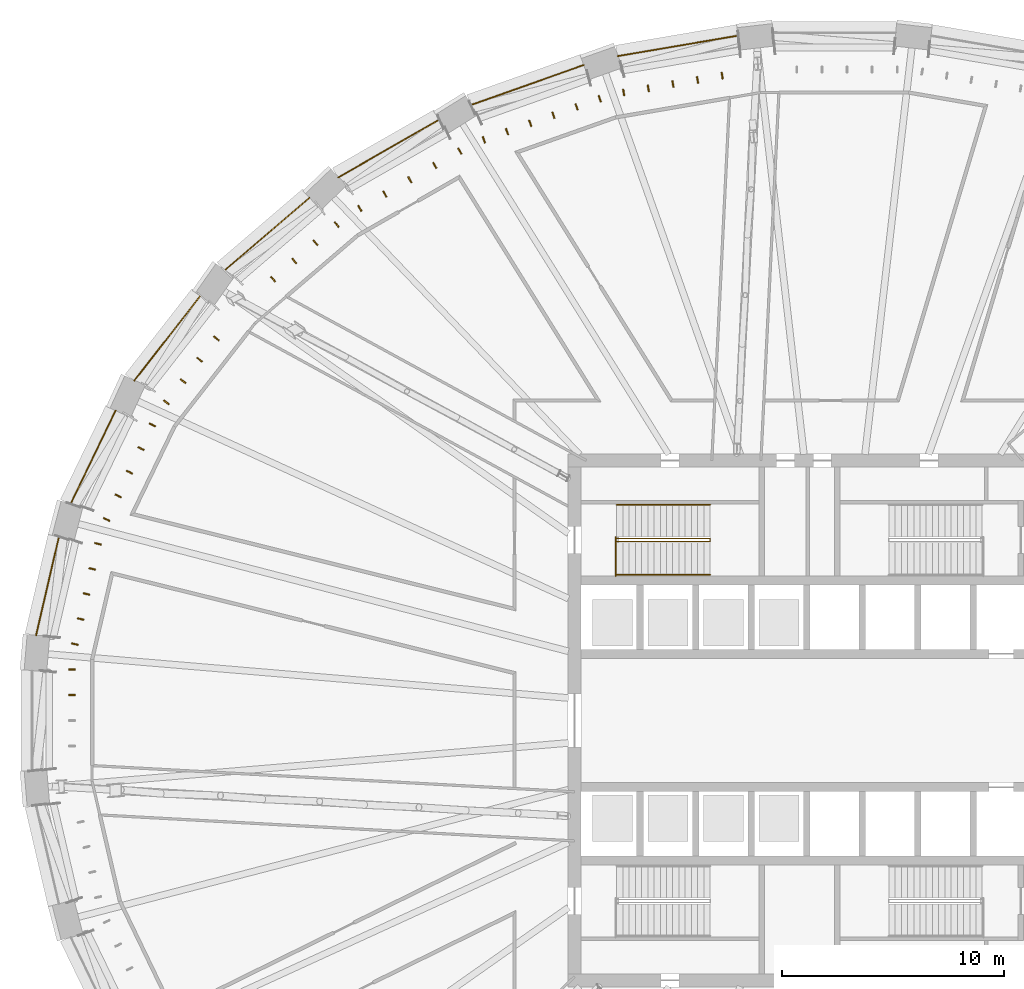
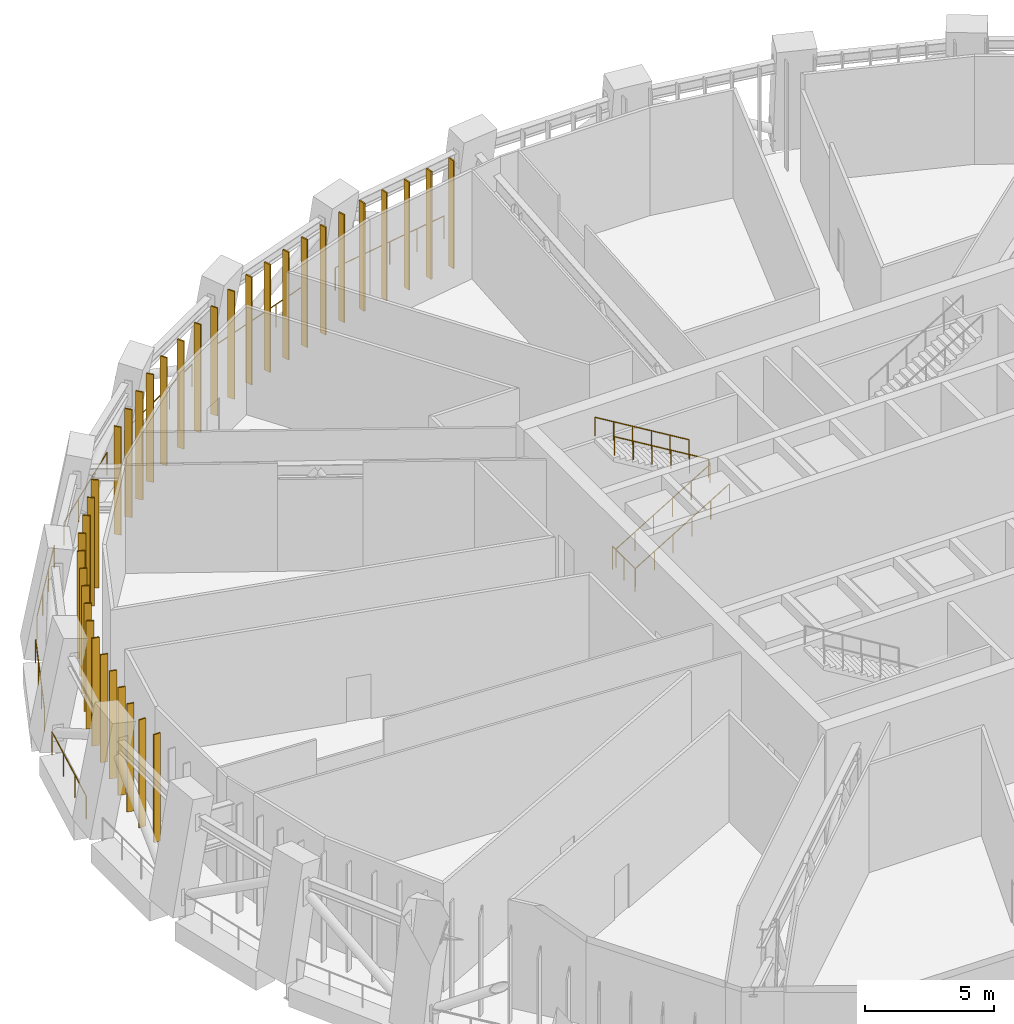
# One storey, part 19 of 22: 36 shading devices, 11 railings.
"""IFC4 building model written with IfcOpenShell, lengths in metres."""

from ifc_helpers import new_model, si_unit, direction, frame, origin, origin_2d, place, context, subcontext, project, spatial, rectangle, circle, extrude, material, material_profile, profile_set, type_object, element, save


model = new_model("IFC4")

# Units and contexts
model_context = context("Model", 3, precision=1e-05, world=origin(), true_north=direction((0.0, 1.0)))
body_context = subcontext(model_context, "Body", "Model", "MODEL_VIEW")
ifc_project = project(units=[si_unit("LENGTHUNIT", "METRE"), si_unit("AREAUNIT", "SQUARE_METRE"), si_unit("VOLUMEUNIT", "CUBIC_METRE"), si_unit("PLANEANGLEUNIT", "RADIAN"), si_unit("MASSUNIT", "GRAM", prefix="KILO")], contexts=[model_context])

# Site, building, storey
site_placement = place(None, origin())
site = spatial("IfcSite", under=ifc_project, at=site_placement, CompositionType="ELEMENT")
building_placement = place(site_placement, origin())
building = spatial("IfcBuilding", under=site, at=building_placement, Name="Halqa Exchange Tower", CompositionType="ELEMENT")
storey_placement = place(building_placement, frame((0.0, 0.0, 99.10009765625)))
storey = spatial("IfcBuildingStorey", under=building, at=storey_placement, Name="L22", CompositionType="ELEMENT", Elevation=99.10009765625)

# Shading devices
ifc_material_1 = material(Name="Anodised aluminium", Category="aluminium")
ifc_material_profile = material_profile(ifc_material_1, rectangle(XDim=0.300048828125, YDim=0.06005859375, at=origin_2d()), Name="AL FIN 300x60")
ifc_profile_set = profile_set([ifc_material_profile], Name="Anodised aluminium")
shading_device_type = type_object("IfcShadingDeviceType", Name="Aluminium louvre FIN 300 x 60", PredefinedType="USERDEFINED", material=ifc_profile_set)
for number, where, z_axis, x_axis, name in (
    (1, (-5.0537109375, 29.018798828125, 0.0), (0.0, 0.0, 1.0), (0.168067871785, -0.985775425984, 0.0), "Louvre FIN 9.2"),
    (2, (-6.162109375, 28.830078125, 0.0), (0.0, 0.0, 1.0), (0.168067871785, -0.985775425984, 0.0), "Louvre FIN 9.3"),
    (3, (-7.2705078125, 28.64111328125, 0.0), (0.0, 0.0, 1.0), (0.168067871785, -0.985775425984, 0.0), "Louvre FIN 9.4"),
    (4, (-8.37890625, 28.451904296875, 0.0), (0.0, 0.0, 1.0), (0.168067871785, -0.985775425984, 0.0), "Louvre FIN 9.5"),
    (5, (-9.4873046875, 28.26318359375, 0.0), (0.0, 0.0, 1.0), (0.168067871785, -0.985775425984, 0.0), "Louvre FIN 9.6"),
    (6, (-10.56298828125, 27.9833984375, 0.0), (0.0, 0.0, 1.0), (0.334578355387, -0.94236793457, 0.0), "Louvre FIN 10.1"),
    (7, (-11.606201171875, 27.613037109375, 0.0), (0.0, 0.0, 1.0), (0.334578355387, -0.94236793457, 0.0), "Louvre FIN 10.2"),
    (8, (-12.649169921875, 27.24267578125, 0.0), (0.0, 0.0, 1.0), (0.334578355387, -0.94236793457, 0.0), "Louvre FIN 10.3"),
    (9, (-13.6923828125, 26.872314453125, 0.0), (0.0, 0.0, 1.0), (0.334578355387, -0.94236793457, 0.0), "Louvre FIN 10.4"),
    (10, (-14.7353515625, 26.501953125, 0.0), (0.0, 0.0, 1.0), (0.334578355387, -0.94236793457, 0.0), "Louvre FIN 10.5"),
    (11, (-15.778564453125, 26.131591796875, 0.0), (0.0, 0.0, 1.0), (0.334578355387, -0.94236793457, 0.0), "Louvre FIN 10.6"),
    (12, (-16.862548828125, 25.62451171875, 0.0), (0.0, 0.0, 1.0), (0.496984562745, -0.867759381622, 0.0), "Louvre FIN 11.1"),
    (13, (-17.9873046875, 24.980224609375, 0.0), (0.0, 0.0, 1.0), (0.496984562745, -0.867759381622, 0.0), "Louvre FIN 11.2"),
    (14, (-19.112060546875, 24.3359375, 0.0), (0.0, 0.0, 1.0), (0.496984562745, -0.867759381622, 0.0), "Louvre FIN 11.3"),
    (15, (-20.237060546875, 23.69189453125, 0.0), (0.0, 0.0, 1.0), (0.496984562745, -0.867759381622, 0.0), "Louvre FIN 11.4"),
    (16, (-21.36181640625, 23.047607421875, 0.0), (0.0, 0.0, 1.0), (0.496984562745, -0.867759381622, 0.0), "Louvre FIN 11.5"),
    (17, (-22.401611328125, 22.31640625, 0.0), (0.0, 0.0, 1.0), (0.65078481863, -0.759262220739, 0.0), "Louvre FIN 12.1"),
    (18, (-23.356201171875, 21.498046875, 0.0), (0.0, 0.0, 1.0), (0.65078481863, -0.759262220739, 0.0), "Louvre FIN 12.2"),
    (19, (-24.310791015625, 20.6796875, 0.0), (0.0, 0.0, 1.0), (0.65078481863, -0.759262220739, 0.0), "Louvre FIN 12.3"),
    (20, (-25.265625, 19.861572265625, 0.0), (0.0, 0.0, 1.0), (0.65078481863, -0.759262220739, 0.0), "Louvre FIN 12.4"),
    (21, (-27.820068359375, 17.194091796875, 0.0), (0.0, 0.0, 1.0), (0.788675428901, -0.614809781841, 0.0), "Louvre FIN 13.2"),
    (22, (-28.568603515625, 16.234130859375, 0.0), (0.0, 0.0, 1.0), (0.788675428901, -0.614809781841, 0.0), "Louvre FIN 13.3"),
    (23, (-29.31689453125, 15.274169921875, 0.0), (0.0, 0.0, 1.0), (0.788675428901, -0.614809781841, 0.0), "Louvre FIN 13.4"),
    (24, (-30.065185546875, 14.314208984375, 0.0), (0.0, 0.0, 1.0), (0.788675428901, -0.614809781841, 0.0), "Louvre FIN 13.5"),
    (25, (-30.696533203125, 13.302001953125, 0.0), (0.0, 0.0, 1.0), (0.900384088715, -0.435095958139, 0.0), "Louvre FIN 14.1"),
    (26, (-31.210693359375, 12.23779296875, 0.0), (0.0, 0.0, 1.0), (0.900384088715, -0.435095958139, 0.0), "Louvre FIN 14.2"),
    (27, (-31.72509765625, 11.173583984375, 0.0), (0.0, 0.0, 1.0), (0.900384088715, -0.435095958139, 0.0), "Louvre FIN 14.3"),
    (28, (-32.2392578125, 10.109130859375, 0.0), (0.0, 0.0, 1.0), (0.900384088715, -0.435095958139, 0.0), "Louvre FIN 14.4"),
    (29, (-32.753662109375, 9.044921875, 0.0), (0.0, 0.0, 1.0), (0.900384088715, -0.435095958139, 0.0), "Louvre FIN 14.5"),
    (30, (-33.1416015625, 7.948974609375, 0.0), (0.0, 0.0, 1.0), (0.974111871643, -0.226066498012, 0.0), "Louvre FIN 15.1"),
    (31, (-33.4033203125, 6.82080078125, 0.0), (0.0, 0.0, 1.0), (0.974111871643, -0.226066498012, 0.0), "Louvre FIN 15.2"),
    (32, (-33.665283203125, 5.693115234375, 0.0), (0.0, 0.0, 1.0), (0.974111871643, -0.226066498012, 0.0), "Louvre FIN 15.3"),
    (33, (-33.927001953125, 4.565185546875, 0.0), (0.0, 0.0, 1.0), (0.974111871643, -0.226066498012, 0.0), "Louvre FIN 15.4"),
    (34, (-34.188720703125, 3.437255859375, 0.0), (0.0, 0.0, 1.0), (0.974111871643, -0.226066498012, 0.0), "Louvre FIN 15.5"),
    (35, (-34.319580078125, 2.298583984375, 0.0), (0.0, 0.0, 1.0), (1.0, 0.0, 0.0), "Louvre FIN 16.1"),
    (36, (-34.319580078125, 1.1494140625, 0.0), (0.0, 0.0, 1.0), (1.0, 0.0, 0.0), "Louvre FIN 16.2"),
):
    element("IfcShadingDevice", number, at=place(storey_placement, frame(where, z_axis=z_axis, x_axis=x_axis)), inside=storey, type_object=shading_device_type, Name=name, ObjectType="FIN", PredefinedType="USERDEFINED", context=body_context, shape_type="SweptSolid", body=[
        extrude(rectangle(XDim=0.300048828125, YDim=0.06005859375, at=origin_2d()), origin(), (0.0, 0.0, 1.0), 5.099853515625),
    ])

# Railings
ifc_material_2 = material(Name="Stainless steel", Category="steel")
railing_type_1 = type_object("IfcRailingType", Name="Guard 1100 stainless steel", PredefinedType="GUARDRAIL", material=ifc_material_2)
railing_1_placement = place(storey_placement, frame((-4.345703125, 30.821044921875, 0.0)))
element("IfcRailing", 37, at=railing_1_placement, inside=storey, type_object=railing_type_1, Name="Band edge guard 9", PredefinedType="GUARDRAIL", context=body_context, shape_type="SweptSolid", body=[
    extrude(circle(Radius=0.02392578125, at=origin_2d()), frame((0.0, 0.0, 1.076171875), z_axis=(-0.985775171727, -0.168069363079, 0.0), x_axis=(0.168069363079, -0.985775171727, 0.0)), (0.0, 0.0, 1.0), 5.477783203125),
    extrude(circle(Radius=0.02099609375, at=origin_2d()), origin(), (0.0, 0.0, 1.0), 1.052001953125),
    extrude(circle(Radius=0.02099609375, at=origin_2d()), frame((-1.35009765625, -0.230224609375, 0.0)), (0.0, 0.0, 1.0), 1.052001953125),
    extrude(circle(Radius=0.02099609375, at=origin_2d()), frame((-2.699951171875, -0.46044921875, 0.0)), (0.0, 0.0, 1.0), 1.052001953125),
    extrude(circle(Radius=0.02099609375, at=origin_2d()), frame((-4.0498046875, -0.6904296875, 0.0)), (0.0, 0.0, 1.0), 1.052001953125),
    extrude(circle(Radius=0.02099609375, at=origin_2d()), frame((-5.39990234375, -0.920654296875, 0.0)), (0.0, 0.0, 1.0), 1.052001953125),
])
railing_2_placement = place(storey_placement, frame((-11.2880859375, 29.498291015625, 0.0)))
element("IfcRailing", 38, at=railing_2_placement, inside=storey, type_object=railing_type_1, Name="Band edge guard 10", PredefinedType="GUARDRAIL", context=body_context, shape_type="SweptSolid", body=[
    extrude(circle(Radius=0.02392578125, at=origin_2d()), frame((0.0, 0.0, 1.076171875), z_axis=(-0.942363076556, -0.334592038075, 0.0), x_axis=(0.334592038075, -0.942363076556, 0.0)), (0.0, 0.0, 1.0), 5.374755859375),
    extrude(circle(Radius=0.02099609375, at=origin_2d()), origin(), (0.0, 0.0, 1.0), 1.052001953125),
    extrude(circle(Radius=0.02099609375, at=origin_2d()), frame((-1.688232421875, -0.599365234375, 0.0)), (0.0, 0.0, 1.0), 1.052001953125),
    extrude(circle(Radius=0.02099609375, at=origin_2d()), frame((-3.376708984375, -1.198974609375, 0.0)), (0.0, 0.0, 1.0), 1.052001953125),
    extrude(circle(Radius=0.02099609375, at=origin_2d()), frame((-5.06494140625, -1.79833984375, 0.0)), (0.0, 0.0, 1.0), 1.052001953125),
])
railing_3_placement = place(storey_placement, frame((-17.801025390625, 27.034912109375, 0.0)))
element("IfcRailing", 39, at=railing_3_placement, inside=storey, type_object=railing_type_1, Name="Band edge guard 11", PredefinedType="GUARDRAIL", context=body_context, shape_type="SweptSolid", body=[
    extrude(circle(Radius=0.02392578125, at=origin_2d()), frame((0.0, 0.0, 1.076171875), z_axis=(-0.867755983437, -0.496990496096, 0.0), x_axis=(0.496990496096, -0.867755983437, 0.0)), (0.0, 0.0, 1.0), 5.216552734375),
    extrude(circle(Radius=0.02099609375, at=origin_2d()), origin(), (0.0, 0.0, 1.0), 1.052001953125),
    extrude(circle(Radius=0.02099609375, at=origin_2d()), frame((-1.5087890625, -0.8642578125, 0.0)), (0.0, 0.0, 1.0), 1.052001953125),
    extrude(circle(Radius=0.02099609375, at=origin_2d()), frame((-3.017822265625, -1.728271484375, 0.0)), (0.0, 0.0, 1.0), 1.052001953125),
    extrude(circle(Radius=0.02099609375, at=origin_2d()), frame((-4.526611328125, -2.592529296875, 0.0)), (0.0, 0.0, 1.0), 1.052001953125),
])
railing_4_placement = place(storey_placement, frame((-23.629150390625, 23.524169921875, 0.0)))
element("IfcRailing", 40, at=railing_4_placement, inside=storey, type_object=railing_type_1, Name="Band edge guard 12", PredefinedType="GUARDRAIL", context=body_context, shape_type="SweptSolid", body=[
    extrude(circle(Radius=0.02392578125, at=origin_2d()), frame((0.0, 0.0, 1.076171875), z_axis=(-0.759263460736, -0.650783371938, 0.0), x_axis=(0.650783371938, -0.759263460736, 0.0)), (0.0, 0.0, 1.0), 5.025390625),
    extrude(circle(Radius=0.02099609375, at=origin_2d()), origin(), (0.0, 0.0, 1.0), 1.052001953125),
    extrude(circle(Radius=0.02099609375, at=origin_2d()), frame((-1.27197265625, -1.090087890625, 0.0)), (0.0, 0.0, 1.0), 1.052001953125),
    extrude(circle(Radius=0.02099609375, at=origin_2d()), frame((-2.543701171875, -2.180419921875, 0.0)), (0.0, 0.0, 1.0), 1.052001953125),
    extrude(circle(Radius=0.02099609375, at=origin_2d()), frame((-3.815673828125, -3.2705078125, 0.0)), (0.0, 0.0, 1.0), 1.052001953125),
])
railing_5_placement = place(storey_placement, frame((-28.5439453125, 19.10205078125, 0.0)))
element("IfcRailing", 41, at=railing_5_placement, inside=storey, type_object=railing_type_1, Name="Band edge guard 13", PredefinedType="GUARDRAIL", context=body_context, shape_type="SweptSolid", body=[
    extrude(circle(Radius=0.02392578125, at=origin_2d()), frame((0.0, 0.0, 1.076171875), z_axis=(-0.614829330742, -0.788660189219, 0.0), x_axis=(0.788660189219, -0.614829330742, 0.0)), (0.0, 0.0, 1.0), 4.82861328125),
    extrude(circle(Radius=0.02099609375, at=origin_2d()), origin(), (0.0, 0.0, 1.0), 1.052001953125),
    extrude(circle(Radius=0.02099609375, at=origin_2d()), frame((-0.989501953125, -1.269287109375, 0.0)), (0.0, 0.0, 1.0), 1.052001953125),
    extrude(circle(Radius=0.02099609375, at=origin_2d()), frame((-1.979248046875, -2.538818359375, 0.0)), (0.0, 0.0, 1.0), 1.052001953125),
    extrude(circle(Radius=0.02099609375, at=origin_2d()), frame((-2.96875, -3.80810546875, 0.0)), (0.0, 0.0, 1.0), 1.052001953125),
])
railing_6_placement = place(storey_placement, frame((-32.3525390625, 13.942626953125, 0.0)))
element("IfcRailing", 42, at=railing_6_placement, inside=storey, type_object=railing_type_1, Name="Band edge guard 14", PredefinedType="GUARDRAIL", context=body_context, shape_type="SweptSolid", body=[
    extrude(circle(Radius=0.02392578125, at=origin_2d()), frame((0.0, 0.0, 1.076171875), z_axis=(-0.435136078438, -0.900364700131, 0.0), x_axis=(0.900364700131, -0.435136078438, 0.0)), (0.0, 0.0, 1.0), 4.65673828125),
    extrude(circle(Radius=0.02099609375, at=origin_2d()), origin(), (0.0, 0.0, 1.0), 1.052001953125),
    extrude(circle(Radius=0.02099609375, at=origin_2d()), frame((-0.675537109375, -1.397705078125, 0.0)), (0.0, 0.0, 1.0), 1.052001953125),
    extrude(circle(Radius=0.02099609375, at=origin_2d()), frame((-1.350830078125, -2.795166015625, 0.0)), (0.0, 0.0, 1.0), 1.052001953125),
    extrude(circle(Radius=0.02099609375, at=origin_2d()), frame((-2.0263671875, -4.19287109375, 0.0)), (0.0, 0.0, 1.0), 1.052001953125),
])
railing_7_placement = place(storey_placement, frame((-34.90771484375, 8.25, 0.0)))
element("IfcRailing", 43, at=railing_7_placement, inside=storey, type_object=railing_type_1, Name="Band edge guard 15", PredefinedType="GUARDRAIL", context=body_context, shape_type="SweptSolid", body=[
    extrude(circle(Radius=0.02392578125, at=origin_2d()), frame((0.0, 0.0, 1.076171875), z_axis=(-0.226049512148, -0.974115813473, 0.0), x_axis=(0.974115813473, -0.226049512148, 0.0)), (0.0, 0.0, 1.0), 4.539306640625),
    extrude(circle(Radius=0.02099609375, at=origin_2d()), origin(), (0.0, 0.0, 1.0), 1.052001953125),
    extrude(circle(Radius=0.02099609375, at=origin_2d()), frame((-0.342041015625, -1.473876953125, 0.0)), (0.0, 0.0, 1.0), 1.052001953125),
    extrude(circle(Radius=0.02099609375, at=origin_2d()), frame((-0.68408203125, -2.947998046875, 0.0)), (0.0, 0.0, 1.0), 1.052001953125),
    extrude(circle(Radius=0.02099609375, at=origin_2d()), frame((-1.026123046875, -4.421875, 0.0)), (0.0, 0.0, 1.0), 1.052001953125),
])
railing_type_2 = type_object("IfcRailingType", Name="Stair handrail 900", PredefinedType="HANDRAIL", material=ifc_material_2)
railing_8_placement = place(storey_placement, frame((-9.800048828125, 8.06005859375, 0.168701171875)))
element("IfcRailing", 44, at=railing_8_placement, inside=storey, type_object=railing_type_2, Name="Handrail ST1.1", PredefinedType="HANDRAIL", context=body_context, shape_type="SweptSolid", body=[
    extrude(circle(Radius=0.02392578125, at=origin_2d()), frame((0.0, 0.0, 0.8759765625), z_axis=(0.856476492594, 0.0, 0.516186030065), x_axis=(0.0, 1.0, 0.0)), (0.0, 0.0, 1.0), 4.90380859375),
    extrude(circle(Radius=0.02392578125, at=origin_2d()), frame((4.199951171875, 0.0, 3.4072265625), z_axis=(0.0, 0.610043206925, 0.792368150348), x_axis=(-1.0, 0.0, 0.0)), (0.0, 0.0, 1.0), 0.212890625),
    extrude(circle(Radius=0.02392578125, at=origin_2d()), frame((4.199951171875, 0.1298828125, 3.57568359375), z_axis=(-0.856476492594, 0.0, 0.516186030065), x_axis=(0.0, -1.0, 0.0)), (0.0, 0.0, 1.0), 4.90380859375),
    extrude(circle(Radius=0.02099609375, at=origin_2d()), origin(), (0.0, 0.0, 1.0), 0.851806640625),
    extrude(circle(Radius=0.02099609375, at=origin_2d()), frame((0.840087890625, 0.0, 0.50634765625)), (0.0, 0.0, 1.0), 0.851806640625),
    extrude(circle(Radius=0.02099609375, at=origin_2d()), frame((1.679931640625, 0.0, 1.012451171875)), (0.0, 0.0, 1.0), 0.851806640625),
    extrude(circle(Radius=0.02099609375, at=origin_2d()), frame((2.52001953125, 0.0, 1.518798828125)), (0.0, 0.0, 1.0), 0.851806640625),
    extrude(circle(Radius=0.02099609375, at=origin_2d()), frame((3.35986328125, 0.0, 2.02490234375)), (0.0, 0.0, 1.0), 0.851806640625),
    extrude(circle(Radius=0.02099609375, at=origin_2d()), frame((4.199951171875, 0.0, 2.53125)), (0.0, 0.0, 1.0), 0.851806640625),
    extrude(circle(Radius=0.02099609375, at=origin_2d()), frame((4.199951171875, 0.1298828125, 2.699951171875)), (0.0, 0.0, 1.0), 0.851806640625),
    extrude(circle(Radius=0.02099609375, at=origin_2d()), frame((3.35986328125, 0.1298828125, 3.206298828125)), (0.0, 0.0, 1.0), 0.851806640625),
    extrude(circle(Radius=0.02099609375, at=origin_2d()), frame((2.52001953125, 0.1298828125, 3.71240234375)), (0.0, 0.0, 1.0), 0.851806640625),
    extrude(circle(Radius=0.02099609375, at=origin_2d()), frame((1.679931640625, 0.1298828125, 4.21875)), (0.0, 0.0, 1.0), 0.851806640625),
    extrude(circle(Radius=0.02099609375, at=origin_2d()), frame((0.840087890625, 0.1298828125, 4.724853515625)), (0.0, 0.0, 1.0), 0.851806640625),
    extrude(circle(Radius=0.02099609375, at=origin_2d()), frame((0.0, 0.1298828125, 5.231201171875)), (0.0, 0.0, 1.0), 0.851806640625),
])
railing_9_placement = place(storey_placement, frame((-9.800048828125, 6.550048828125, 0.168701171875)))
element("IfcRailing", 45, at=railing_9_placement, inside=storey, type_object=railing_type_2, Name="Handrail ST1.2", PredefinedType="HANDRAIL", context=body_context, shape_type="SweptSolid", body=[
    extrude(circle(Radius=0.02392578125, at=origin_2d()), frame((0.0, 0.0, 0.8759765625), z_axis=(0.856476492594, 0.0, 0.516186030065), x_axis=(0.0, 1.0, 0.0)), (0.0, 0.0, 1.0), 4.90380859375),
    extrude(circle(Radius=0.02099609375, at=origin_2d()), origin(), (0.0, 0.0, 1.0), 0.851806640625),
    extrude(circle(Radius=0.02099609375, at=origin_2d()), frame((0.840087890625, 0.0, 0.50634765625)), (0.0, 0.0, 1.0), 0.851806640625),
    extrude(circle(Radius=0.02099609375, at=origin_2d()), frame((1.679931640625, 0.0, 1.012451171875)), (0.0, 0.0, 1.0), 0.851806640625),
    extrude(circle(Radius=0.02099609375, at=origin_2d()), frame((2.52001953125, 0.0, 1.518798828125)), (0.0, 0.0, 1.0), 0.851806640625),
    extrude(circle(Radius=0.02099609375, at=origin_2d()), frame((3.35986328125, 0.0, 2.02490234375)), (0.0, 0.0, 1.0), 0.851806640625),
    extrude(circle(Radius=0.02099609375, at=origin_2d()), frame((4.199951171875, 0.0, 2.53125)), (0.0, 0.0, 1.0), 0.851806640625),
])
railing_10_placement = place(storey_placement, frame((-5.60009765625, 9.699951171875, 2.86865234375)))
element("IfcRailing", 46, at=railing_10_placement, inside=storey, type_object=railing_type_2, Name="Handrail ST1.3", PredefinedType="HANDRAIL", context=body_context, shape_type="SweptSolid", body=[
    extrude(circle(Radius=0.02392578125, at=origin_2d()), frame((0.0, 0.0, 0.8759765625), z_axis=(-0.856476492594, 0.0, 0.516186030065), x_axis=(0.0, -1.0, 0.0)), (0.0, 0.0, 1.0), 4.90380859375),
    extrude(circle(Radius=0.02099609375, at=origin_2d()), origin(), (0.0, 0.0, 1.0), 0.851806640625),
    extrude(circle(Radius=0.02099609375, at=origin_2d()), frame((-0.840087890625, 0.0, 0.50634765625)), (0.0, 0.0, 1.0), 0.851806640625),
    extrude(circle(Radius=0.02099609375, at=origin_2d()), frame((-1.679931640625, 0.0, 1.012451171875)), (0.0, 0.0, 1.0), 0.851806640625),
    extrude(circle(Radius=0.02099609375, at=origin_2d()), frame((-2.52001953125, 0.0, 1.518798828125)), (0.0, 0.0, 1.0), 0.851806640625),
    extrude(circle(Radius=0.02099609375, at=origin_2d()), frame((-3.35986328125, 0.0, 2.02490234375)), (0.0, 0.0, 1.0), 0.851806640625),
    extrude(circle(Radius=0.02099609375, at=origin_2d()), frame((-4.199951171875, 0.0, 2.53125)), (0.0, 0.0, 1.0), 0.851806640625),
])
railing_type_3 = type_object("IfcRailingType", Name="Stair well guard 1100", PredefinedType="GUARDRAIL", material=ifc_material_2)
railing_11_placement = place(storey_placement, frame((-9.85009765625, 6.5, 0.0)))
element("IfcRailing", 47, at=railing_11_placement, inside=storey, type_object=railing_type_3, Name="Guard ST1 well", PredefinedType="GUARDRAIL", context=body_context, shape_type="SweptSolid", body=[
    extrude(circle(Radius=0.02392578125, at=origin_2d()), frame((0.0, 0.0, 1.076171875), z_axis=(0.0, 1.0, 0.0), x_axis=(-1.0, 0.0, 0.0)), (0.0, 0.0, 1.0), 1.75),
    extrude(circle(Radius=0.02099609375, at=origin_2d()), origin(), (0.0, 0.0, 1.0), 1.052001953125),
    extrude(circle(Radius=0.02099609375, at=origin_2d()), frame((0.0, 0.875, 0.0)), (0.0, 0.0, 1.0), 1.052001953125),
    extrude(circle(Radius=0.02099609375, at=origin_2d()), frame((0.0, 1.75, 0.0)), (0.0, 0.0, 1.0), 1.052001953125),
])

save(model, "model.ifc")
